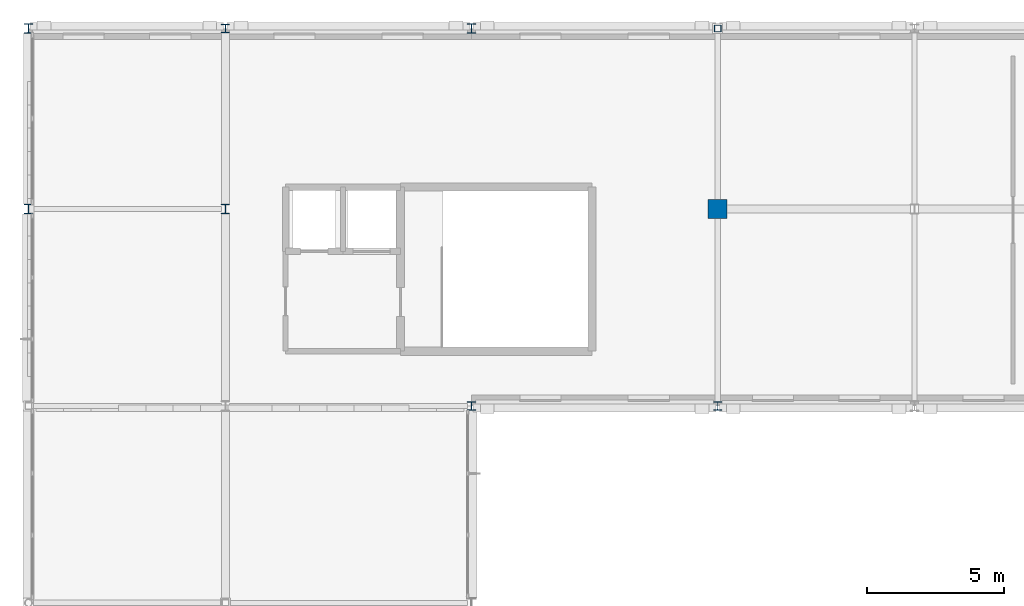
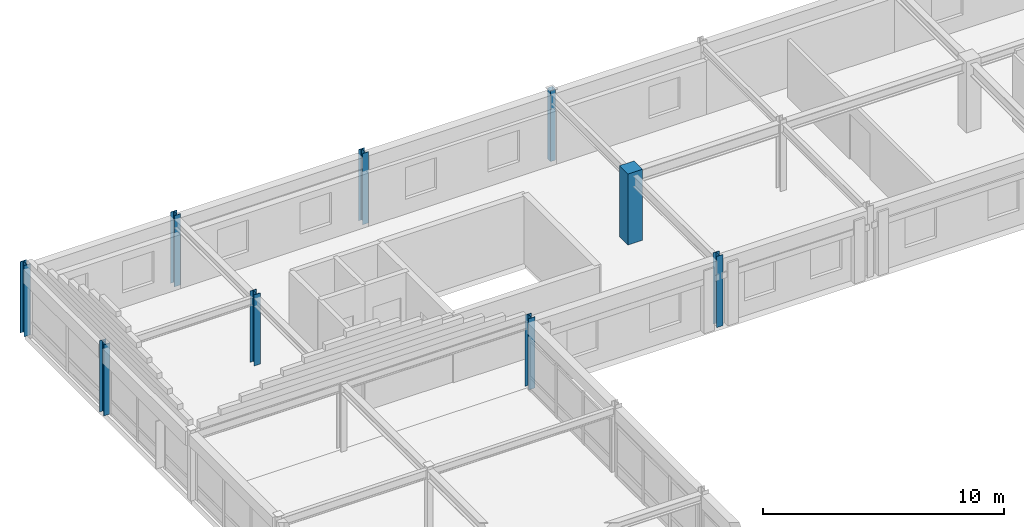
# One storey, part 4 of 52: 9 columns.
"""IFC4 building model written with IfcOpenShell, lengths in metres."""

import ifcopenshell
import ifcopenshell.guid

model = None  # the IFC model being written
_history = None  # IfcOwnerHistory: only IFC2X3 demands one
_inside = {}  # id of a spatial element -> (the spatial element, [elements in it])
_under = {}  # id of a project, library or spatial element -> (it, [spatial elements below it])
_declared = {}  # id of a project -> (the project, [libraries it declares])
_typed = {}  # id of a type object -> (the type object, [elements of that type])
_made_of = {}  # id of a material, layer set ... -> (it, [elements and type objects made of it])


def new_model(schema):
    """Start an empty IFC model of exactly this schema.

    Asked for "IFC4X3", IfcOpenShell would pick the latest addendum, in which some entities
    have other attributes; the version numbers below select the first issue.
    IFC2X3 requires an IfcOwnerHistory on every rooted entity: one is made here for all.
    """
    global model, _history
    if schema == "IFC4X3":
        model = ifcopenshell.file(schema_version=(4, 3, 0, 0))
    else:
        model = ifcopenshell.file(schema=schema)
    _inside.clear()
    _under.clear()
    _declared.clear()
    _typed.clear()
    _made_of.clear()
    _history = None
    if model.schema == "IFC2X3":
        org = make("IfcOrganization", Name="unknown")
        user = make(
            "IfcPersonAndOrganization",
            ThePerson=make("IfcPerson", FamilyName="unknown"),
            TheOrganization=org,
        )
        app = make(
            "IfcApplication",
            ApplicationDeveloper=org,
            Version="unknown",
            ApplicationFullName="unknown",
            ApplicationIdentifier="unknown",
        )
        _history = make(
            "IfcOwnerHistory",
            OwningUser=user,
            OwningApplication=app,
            ChangeAction="ADDED",
            CreationDate=0,
        )
    return model


def make(cls, **values):
    """One entity of the class cls with the attributes given. An attribute that is None is left unset."""
    return model.create_entity(
        cls, **{name: value for name, value in values.items() if value is not None}
    )


def rooted(cls, **values):
    """An entity with a GlobalId (a new one), such as an element, a storey or a relation."""
    return make(cls, GlobalId=ifcopenshell.guid.new(), OwnerHistory=_history, **values)


def si_unit(unit_type, name, prefix=None):
    """IfcSIUnit, for example si_unit("LENGTHUNIT", "METRE", prefix="MILLI")."""
    return make("IfcSIUnit", UnitType=unit_type, Prefix=prefix, Name=name)


def assignment(units):
    """IfcUnitAssignment: the units of a project."""
    return None if units is None else make("IfcUnitAssignment", Units=units)


def point(xyz):
    """IfcCartesianPoint."""
    return None if xyz is None else make("IfcCartesianPoint", Coordinates=xyz)


def direction(xyz):
    """IfcDirection."""
    return None if xyz is None else make("IfcDirection", DirectionRatios=xyz)


def frame(location, z_axis=None, x_axis=None):
    """IfcAxis2Placement3D, a coordinate frame: its origin and axes. An axis left out is left unset."""
    return make(
        "IfcAxis2Placement3D",
        Location=point(location),
        Axis=direction(z_axis),
        RefDirection=direction(x_axis),
    )


def frame_2d(location, x_axis=None):
    """IfcAxis2Placement2D, a coordinate frame in the plane: its origin and x axis."""
    return make(
        "IfcAxis2Placement2D", Location=point(location), RefDirection=direction(x_axis)
    )


def origin():
    """The frame at (0, 0, 0) with its axes left unset."""
    return frame((0.0, 0.0, 0.0))


def origin_2d():
    """The frame at (0, 0) in the plane with its x axis left unset."""
    return frame_2d((0.0, 0.0))


def place(relative_to, where):
    """IfcLocalPlacement: puts the frame where relative to a parent placement (None: the world)."""
    return make(
        "IfcLocalPlacement", PlacementRelTo=relative_to, RelativePlacement=where
    )


def context(
    kind, dimensions, precision=None, world=None, true_north=None, identifier=None
):
    """IfcGeometricRepresentationContext, for example the 3D "Model" context."""
    return make(
        "IfcGeometricRepresentationContext",
        ContextIdentifier=identifier,
        ContextType=kind,
        CoordinateSpaceDimension=dimensions,
        Precision=precision,
        WorldCoordinateSystem=world,
        TrueNorth=true_north,
    )


def subcontext(parent, identifier, kind, view, scale=None):
    """IfcGeometricRepresentationSubContext, for example "Body" below "Model"."""
    return make(
        "IfcGeometricRepresentationSubContext",
        ContextIdentifier=identifier,
        ContextType=kind,
        ParentContext=parent,
        TargetScale=scale,
        TargetView=view,
    )


def project(units=None, contexts=None):
    """IfcProject with its units and contexts."""
    return rooted(
        "IfcProject",
        Name="project",
        RepresentationContexts=contexts,
        UnitsInContext=assignment(units),
    )


def spatial(cls, under=None, at=None, **own):
    """A site, building, storey or space (cls), placed at a placement, below another one or the project."""
    s = rooted(cls, ObjectPlacement=at, **own)
    if under is not None:
        _under.setdefault(under.id(), (under, []))[1].append(s)
    return s


def profile(cls, at=None, kind="AREA", **sizes):
    """A parametric profile (cls). Its sizes go by their IFC names, for example OverallWidth=200.0."""
    return make(cls, ProfileType=kind, Position=at, **sizes)


def rectangle(**sizes):
    """IfcRectangleProfileDef."""
    return profile("IfcRectangleProfileDef", **sizes)


def hollow_rectangle(**sizes):
    """IfcRectangleHollowProfileDef."""
    return profile("IfcRectangleHollowProfileDef", **sizes)


def i_section(**sizes):
    """IfcIShapeProfileDef."""
    return profile("IfcIShapeProfileDef", **sizes)


def extrude(swept, where, along, depth):
    """IfcExtrudedAreaSolid: the profile swept, set in the frame where, extruded along a direction by depth."""
    return make(
        "IfcExtrudedAreaSolid",
        SweptArea=swept,
        Position=where,
        ExtrudedDirection=direction(along),
        Depth=depth,
    )


def shape(context_of_items, identifier, shape_type, items):
    """IfcShapeRepresentation: the items that make up one representation, for example the "Body"."""
    return make(
        "IfcShapeRepresentation",
        ContextOfItems=context_of_items,
        RepresentationIdentifier=identifier,
        RepresentationType=shape_type,
        Items=items,
    )


def material(Name=None, Category=None):
    """IfcMaterial."""
    return make("IfcMaterial", Name=Name, Category=Category)


def material_profile(
    of_material, cross_section, Name=None, Category=None, Priority=None
):
    """IfcMaterialProfile: a cross section and its material."""
    return make(
        "IfcMaterialProfile",
        Name=Name,
        Material=of_material,
        Profile=cross_section,
        Priority=Priority,
        Category=Category,
    )


def profile_set(profiles, Name=None, composite=None):
    """IfcMaterialProfileSet."""
    return make(
        "IfcMaterialProfileSet",
        Name=Name,
        MaterialProfiles=profiles,
        CompositeProfile=composite,
    )


def made_of(thing, what):
    """Note that an element or type object is made of a material, layer set ...; save() writes the relation."""
    if what is not None:
        _made_of.setdefault(what.id(), (what, []))[1].append(thing)
    return thing


def type_object(cls, material=None, **own):
    """A type object (cls), such as IfcWallType, which elements share."""
    return made_of(rooted(cls, **own), material)


def element(
    cls,
    number,
    at=None,
    inside=None,
    cuts=None,
    type_object=None,
    material=None,
    context=None,
    identifier="Body",
    shape_type=None,
    held_by="IfcProductDefinitionShape",
    body=None,
    shapes=None,
    **own,
):
    """One element of the class cls, such as IfcWall. Its Tag is "e" and its number.

    at: its placement. inside: the storey or other place that contains it. cuts: it is an
    opening in that element (IfcRelVoidsElement). A single representation is given by context,
    identifier, shape_type and body (its items); several are given by shapes. held_by: the class
    of the entity that holds the representations. save() writes the other relations.
    """
    e = rooted(cls, Tag="e%d" % number, ObjectPlacement=at, **own)
    if body is not None:
        shapes = [shape(context, identifier, shape_type, body)]
    if shapes is not None:
        e.Representation = make(held_by, Representations=shapes)
    if inside is not None:
        _inside.setdefault(inside.id(), (inside, []))[1].append(e)
    if cuts is not None:
        rooted(
            "IfcRelVoidsElement", RelatingBuildingElement=cuts, RelatedOpeningElement=e
        )
    if type_object is not None:
        _typed.setdefault(type_object.id(), (type_object, []))[1].append(e)
    return made_of(e, material)


def aggregate(whole, parts):
    """IfcRelAggregates: a whole, such as a stair, and the parts it consists of."""
    return rooted("IfcRelAggregates", RelatingObject=whole, RelatedObjects=parts)


def save(model, path):
    """Write the relations noted so far, then the file.

    IfcRelAggregates (storeys below a building ...), IfcRelContainedInSpatialStructure (elements
    in a storey), IfcRelDefinesByType, IfcRelAssociatesMaterial and IfcRelDeclares: one each for
    every whole, place, type object, material and project.
    """
    for whole, parts in _under.values():
        aggregate(whole, parts)
    for where, things in _inside.values():
        rooted(
            "IfcRelContainedInSpatialStructure",
            RelatedElements=things,
            RelatingStructure=where,
        )
    for kind, things in _typed.values():
        rooted("IfcRelDefinesByType", RelatedObjects=things, RelatingType=kind)
    for what, things in _made_of.values():
        rooted("IfcRelAssociatesMaterial", RelatedObjects=things, RelatingMaterial=what)
    for by, libraries in _declared.values():
        rooted("IfcRelDeclares", RelatingContext=by, RelatedDefinitions=libraries)
    model.write(path)


model = new_model("IFC4")

# Units and contexts
model_context = context("Model", 3, precision=1e-05, world=origin(), true_north=direction((0.0, 1.0)))
body_context = subcontext(model_context, "Body", "Model", "MODEL_VIEW")
ifc_project = project(units=[si_unit("LENGTHUNIT", "METRE"), si_unit("AREAUNIT", "SQUARE_METRE"), si_unit("VOLUMEUNIT", "CUBIC_METRE"), si_unit("PLANEANGLEUNIT", "RADIAN"), si_unit("MASSUNIT", "GRAM", prefix="KILO")], contexts=[model_context])

# Site, building, storey
site_placement = place(None, origin())
site = spatial("IfcSite", under=ifc_project, at=site_placement, CompositionType="ELEMENT")
building_placement = place(site_placement, origin())
building = spatial("IfcBuilding", under=site, at=building_placement, Name="Clarverna Civic Hall", CompositionType="ELEMENT")
storey_placement = place(building_placement, frame((0.0, 0.0, 16.800048828125)))
storey = spatial("IfcBuildingStorey", under=building, at=storey_placement, Name="L04", CompositionType="ELEMENT", Elevation=16.800048828125)

# Columns
ifc_material_1 = material(Name="Concrete C35/45", Category="concrete")
ifc_material_profile_1 = material_profile(ifc_material_1, rectangle(XDim=0.699951171875, YDim=0.699951171875, at=origin_2d()), Name="RC 700x700")
ifc_profile_set_1 = profile_set([ifc_material_profile_1], Name="Concrete C35/45")
column_type_1 = type_object("IfcColumnType", Name="C-RC8", PredefinedType="COLUMN", material=ifc_profile_set_1)
column_1_placement = place(storey_placement, frame((25.199951171875, 109.39990234375, 0.0), z_axis=(0.0, 0.0, 1.0), x_axis=(1.0, 0.0, 0.0)))
element("IfcColumn", 1, at=column_1_placement, inside=storey, type_object=column_type_1, Name="C-RC8-018", PredefinedType="COLUMN", context=body_context, shape_type="SweptSolid", body=[
    extrude(rectangle(XDim=0.699951171875, YDim=0.699951171875, at=origin_2d()), origin(), (0.0, 0.0, 1.0), 3.599853515625),
])
ifc_material_2 = material(Name="Steel S355", Category="steel")
ifc_material_profile_2 = material_profile(ifc_material_2, i_section(OverallWidth=0.300048828125, OverallDepth=0.35009765625, WebThickness=0.010009765625, FlangeThickness=0.017578125, FilletRadius=0.027099609375, at=origin_2d()), Name="HEA 360")
ifc_profile_set_2 = profile_set([ifc_material_profile_2], Name="Steel S355")
column_type_2 = type_object("IfcColumnType", Name="C-ST11", PredefinedType="COLUMN", material=ifc_profile_set_2)
column_2_placement = place(storey_placement, frame((16.199951171875, 116.0, 0.0), z_axis=(0.0, 0.0, 1.0), x_axis=(1.0, 0.0, 0.0)))
element("IfcColumn", 2, at=column_2_placement, inside=storey, type_object=column_type_2, Name="C-ST11-003", PredefinedType="COLUMN", context=body_context, shape_type="SweptSolid", body=[
    extrude(i_section(OverallWidth=0.300048828125, OverallDepth=0.35009765625, WebThickness=0.010009765625, FlangeThickness=0.017578125, FilletRadius=0.027099609375, at=origin_2d()), origin(), (0.0, 0.0, 1.0), 3.599853515625),
])
ifc_material_profile_3 = material_profile(ifc_material_2, i_section(OverallWidth=0.300048828125, OverallDepth=0.31005859375, WebThickness=0.009033203125, FlangeThickness=0.015380859375, FilletRadius=0.027099609375, at=origin_2d()), Name="HEA 320")
ifc_profile_set_3 = profile_set([ifc_material_profile_3], Name="Steel S355")
column_type_3 = type_object("IfcColumnType", Name="C-ST12", PredefinedType="COLUMN", material=ifc_profile_set_3)
column_3_placement = place(storey_placement, frame((25.199951171875, 102.199951171875, 0.0), z_axis=(0.0, 0.0, 1.0), x_axis=(1.0, 0.0, 0.0)))
element("IfcColumn", 3, at=column_3_placement, inside=storey, type_object=column_type_3, Name="C-ST12-004", PredefinedType="COLUMN", context=body_context, shape_type="SweptSolid", body=[
    extrude(i_section(OverallWidth=0.300048828125, OverallDepth=0.31005859375, WebThickness=0.009033203125, FlangeThickness=0.015380859375, FilletRadius=0.027099609375, at=origin_2d()), origin(), (0.0, 0.0, 1.0), 3.599853515625),
])
ifc_material_profile_4 = material_profile(ifc_material_2, hollow_rectangle(XDim=0.25, YDim=0.25, WallThickness=0.010009765625, at=origin_2d()), Name="RHS 250x250x10.0")
ifc_profile_set_4 = profile_set([ifc_material_profile_4], Name="Steel S355")
column_type_4 = type_object("IfcColumnType", Name="C-ST17", PredefinedType="COLUMN", material=ifc_profile_set_4)
column_4_placement = place(storey_placement, frame((25.199951171875, 116.0, 0.0), z_axis=(0.0, 0.0, 1.0), x_axis=(1.0, 0.0, 0.0)))
element("IfcColumn", 4, at=column_4_placement, inside=storey, type_object=column_type_4, Name="C-ST17-004", PredefinedType="COLUMN", context=body_context, shape_type="SweptSolid", body=[
    extrude(hollow_rectangle(XDim=0.25, YDim=0.25, WallThickness=0.010009765625, at=origin_2d()), origin(), (0.0, 0.0, 1.0), 3.599853515625),
])
ifc_material_profile_5 = material_profile(ifc_material_2, i_section(OverallWidth=0.300048828125, OverallDepth=0.360107421875, WebThickness=0.012451171875, FlangeThickness=0.0224609375, FilletRadius=0.027099609375, at=origin_2d()), Name="HEB 360")
ifc_profile_set_5 = profile_set([ifc_material_profile_5], Name="Steel S355")
column_type_5 = type_object("IfcColumnType", Name="C-ST4", PredefinedType="COLUMN", material=ifc_profile_set_5)
column_5_placement = place(storey_placement, frame((0.0, 109.39990234375, 0.0), z_axis=(0.0, 0.0, 1.0), x_axis=(1.0, 0.0, 0.0)))
element("IfcColumn", 5, at=column_5_placement, inside=storey, type_object=column_type_5, Name="C-ST4-001", PredefinedType="COLUMN", context=body_context, shape_type="SweptSolid", body=[
    extrude(i_section(OverallWidth=0.300048828125, OverallDepth=0.360107421875, WebThickness=0.012451171875, FlangeThickness=0.0224609375, FilletRadius=0.027099609375, at=origin_2d()), origin(), (0.0, 0.0, 1.0), 3.599853515625),
])
ifc_material_profile_6 = material_profile(ifc_material_2, i_section(OverallWidth=0.300048828125, OverallDepth=0.340087890625, WebThickness=0.011962890625, FlangeThickness=0.021484375, FilletRadius=0.027099609375, at=origin_2d()), Name="HEB 340")
ifc_profile_set_6 = profile_set([ifc_material_profile_6], Name="Steel S355")
column_type_6 = type_object("IfcColumnType", Name="C-ST5", PredefinedType="COLUMN", material=ifc_profile_set_6)
for number, where, z_axis, x_axis, name in (
    (6, (0.0, 116.0, 0.0), (0.0, 0.0, 1.0), (1.0, 0.0, 0.0), "C-ST5-002"),
    (7, (7.199951171875, 109.39990234375, 0.0), (0.0, 0.0, 1.0), (1.0, 0.0, 0.0), "C-ST5-003"),
):
    element("IfcColumn", number, at=place(storey_placement, frame(where, z_axis=z_axis, x_axis=x_axis)), inside=storey, type_object=column_type_6, Name=name, PredefinedType="COLUMN", context=body_context, shape_type="SweptSolid", body=[
        extrude(i_section(OverallWidth=0.300048828125, OverallDepth=0.340087890625, WebThickness=0.011962890625, FlangeThickness=0.021484375, FilletRadius=0.027099609375, at=origin_2d()), origin(), (0.0, 0.0, 1.0), 3.599853515625),
    ])
ifc_material_profile_7 = material_profile(ifc_material_2, i_section(OverallWidth=0.300048828125, OverallDepth=0.320068359375, WebThickness=0.011474609375, FlangeThickness=0.0205078125, FilletRadius=0.027099609375, at=origin_2d()), Name="HEB 320")
ifc_profile_set_7 = profile_set([ifc_material_profile_7], Name="Steel S355")
column_type_7 = type_object("IfcColumnType", Name="C-ST6", PredefinedType="COLUMN", material=ifc_profile_set_7)
for number, where, z_axis, x_axis, name in (
    (8, (7.199951171875, 116.0, 0.0), (0.0, 0.0, 1.0), (1.0, 0.0, 0.0), "C-ST6-002"),
    (9, (16.199951171875, 102.199951171875, 0.0), (0.0, 0.0, 1.0), (1.0, 0.0, 0.0), "C-ST6-003"),
):
    element("IfcColumn", number, at=place(storey_placement, frame(where, z_axis=z_axis, x_axis=x_axis)), inside=storey, type_object=column_type_7, Name=name, PredefinedType="COLUMN", context=body_context, shape_type="SweptSolid", body=[
        extrude(i_section(OverallWidth=0.300048828125, OverallDepth=0.320068359375, WebThickness=0.011474609375, FlangeThickness=0.0205078125, FilletRadius=0.027099609375, at=origin_2d()), origin(), (0.0, 0.0, 1.0), 3.599853515625),
    ])

save(model, "model.ifc")
